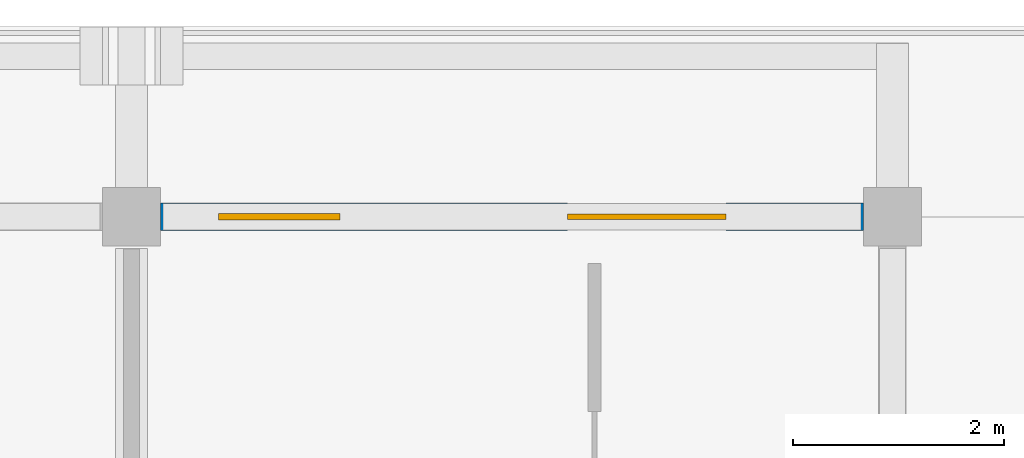
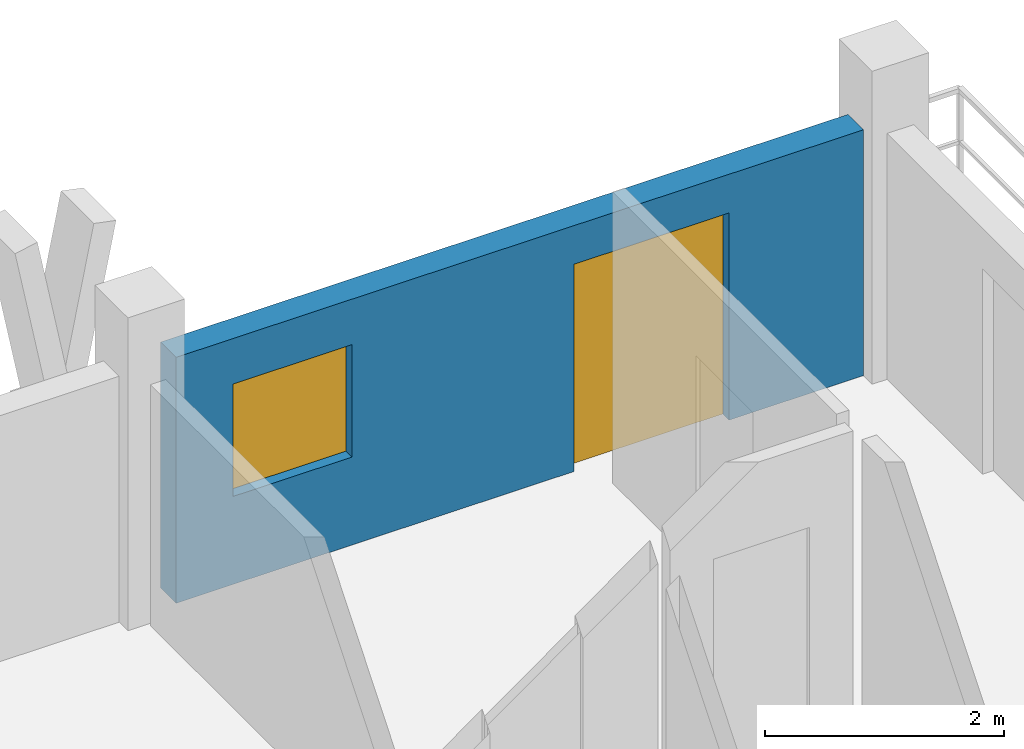
# One storey, part 53 of 73: 1 door, 1 wall, 1 window, 2 openings.
"""IFC4 building model written with IfcOpenShell, lengths in metres."""

from ifc_helpers import new_model, si_unit, direction, frame, frame_2d, origin, place, context, subcontext, project, spatial, rectangle, extrude, material, layer, layer_set, type_object, element, fill, save


model = new_model("IFC4")

# Units and contexts
model_context = context("Model", 3, precision=1e-05, world=origin(), true_north=direction((0.0, 1.0)))
body_context = subcontext(model_context, "Body", "Model", "MODEL_VIEW")
ifc_project = project(units=[si_unit("LENGTHUNIT", "METRE"), si_unit("AREAUNIT", "SQUARE_METRE"), si_unit("VOLUMEUNIT", "CUBIC_METRE"), si_unit("PLANEANGLEUNIT", "RADIAN"), si_unit("MASSUNIT", "GRAM", prefix="KILO")], contexts=[model_context])

# Site, building, storey
site_placement = place(None, origin())
site = spatial("IfcSite", under=ifc_project, at=site_placement, CompositionType="ELEMENT")
building_placement = place(site_placement, origin())
building = spatial("IfcBuilding", under=site, at=building_placement, Name="Suanplinth Sawtooth Commons", CompositionType="ELEMENT")
storey_placement = place(building_placement, frame((0.0, 0.0, 21.89990234375)))
storey = spatial("IfcBuildingStorey", under=building, at=storey_placement, Name="L06", CompositionType="ELEMENT", Elevation=21.89990234375)

# Wall, openings, door, window
ifc_material_1 = material(Name="Precast concrete C40/50", Category="concrete")
ifc_layer = layer(ifc_material_1, 0.260009765625, Name="Insulated precast courtyard facade wall 260mm")
ifc_layer_set = layer_set([ifc_layer], Name="Precast concrete C40/50")
wall_type = type_object("IfcWallType", Name="W-EX02", PredefinedType="ELEMENTEDWALL", material=ifc_layer_set)
wall_placement = place(storey_placement, frame((180.27490234375, 122.39990234375, 0.0), z_axis=(0.0, 0.0, 1.0), x_axis=(1.0, 0.0, 0.0)))
wall = element("IfcWall", 1, at=wall_placement, inside=storey, type_object=wall_type, Name="Facade Wall W-L06-B-N-25-16", PredefinedType="ELEMENTEDWALL", context=body_context, shape_type="SweptSolid", body=[
    extrude(rectangle(XDim=6.650146484375, YDim=0.260009765625, at=frame_2d((3.3251953125, 0.0))), origin(), (0.0, 0.0, 1.0), 2.51513671875),
])
opening_1_placement = place(wall_placement, frame((3.85009765625, 0.0, 0.0)))
opening_1 = element("IfcOpeningElement", 2, at=opening_1_placement, cuts=wall, Name="Opening ED0515", PredefinedType="OPENING", context=body_context, shape_type="SweptSolid", body=[
    extrude(rectangle(XDim=1.5, YDim=2.1201171875, at=frame_2d((0.75, 1.06005859375))), frame((0.0, 0.14501953125, 0.0), z_axis=(0.0, -1.0, 0.0), x_axis=(1.0, 0.0, 0.0)), (0.0, 0.0, 1.0), 0.289794921875),
])
opening_2_placement = place(wall_placement, frame((0.550048828125, 0.0, 0.89990234375)))
opening_2 = element("IfcOpeningElement", 3, at=opening_2_placement, cuts=wall, Name="Opening W0600", PredefinedType="OPENING", context=body_context, shape_type="SweptSolid", body=[
    extrude(rectangle(XDim=1.14990234375, YDim=1.14990234375, at=frame_2d((0.574951171875, 0.574951171875))), frame((0.0, 0.14501953125, 0.0), z_axis=(0.0, -1.0, 0.0), x_axis=(1.0, 0.0, 0.0)), (0.0, 0.0, 1.0), 0.289794921875),
])
ifc_material_2 = material(Name="Anodized aluminium and low-E glass", Category="aluminium")
door_type = type_object("IfcDoorType", Name="SD-03", OperationType="SLIDING_TO_LEFT", PredefinedType="DOOR", material=ifc_material_2)
door_placement = place(opening_1_placement, frame((1.5, 0.0, 0.0), z_axis=(0.0, 0.0, 1.0), x_axis=(-1.0, 0.0, 0.0)))
door = element("IfcDoor", 4, at=door_placement, inside=storey, type_object=door_type, Name="Balcony Sliding Door L06-B-25", OperationType="SLIDING_TO_LEFT", OverallHeight=2.1201171875, OverallWidth=1.5, PredefinedType="DOOR", context=body_context, shape_type="SweptSolid", body=[
    extrude(rectangle(XDim=1.5, YDim=2.1201171875, at=frame_2d((0.75, 1.06005859375))), frame((0.0, 0.02490234375, 0.0), z_axis=(0.0, -1.0, 0.0), x_axis=(1.0, 0.0, 0.0)), (0.0, 0.0, 1.0), 0.050048828125),
])
fill(opening_1, door)
ifc_material_3 = material(Name="Thermally broken aluminium and low-E double glazing", Category="aluminium")
window_type = type_object("IfcWindowType", Name="WN-20", PartitioningType="SINGLE_PANEL", PredefinedType="WINDOW", material=ifc_material_3)
window_placement = place(opening_2_placement, origin())
window = element("IfcWindow", 5, at=window_placement, inside=storey, type_object=window_type, Name="Apartment Window L06-B-25", OverallHeight=1.14990234375, OverallWidth=1.14990234375, PartitioningType="SINGLE_PANEL", PredefinedType="WINDOW", context=body_context, shape_type="SweptSolid", body=[
    extrude(rectangle(XDim=1.14990234375, YDim=1.14990234375, at=frame_2d((0.574951171875, 0.574951171875))), frame((0.0, 0.030029296875, 0.0), z_axis=(0.0, -1.0, 0.0), x_axis=(1.0, 0.0, 0.0)), (0.0, 0.0, 1.0), 0.06005859375),
])
fill(opening_2, window)

save(model, "model.ifc")
